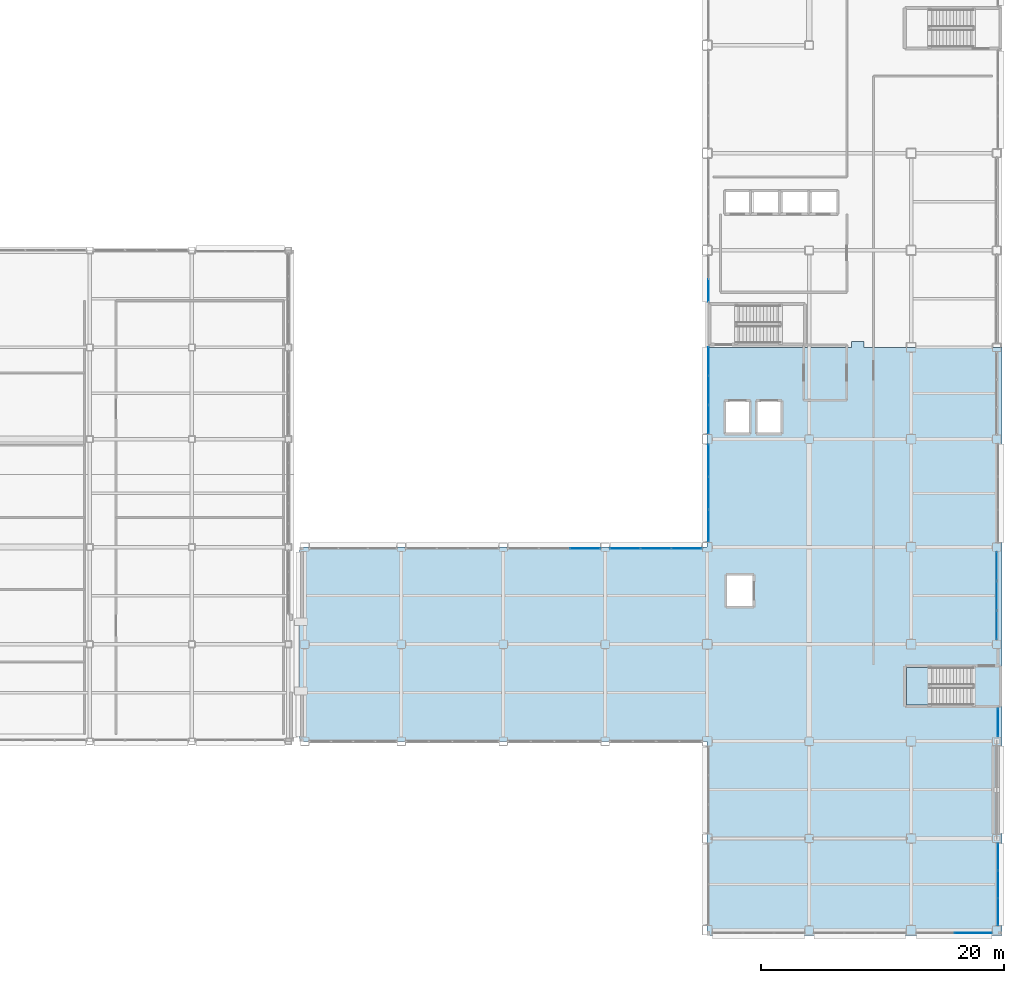
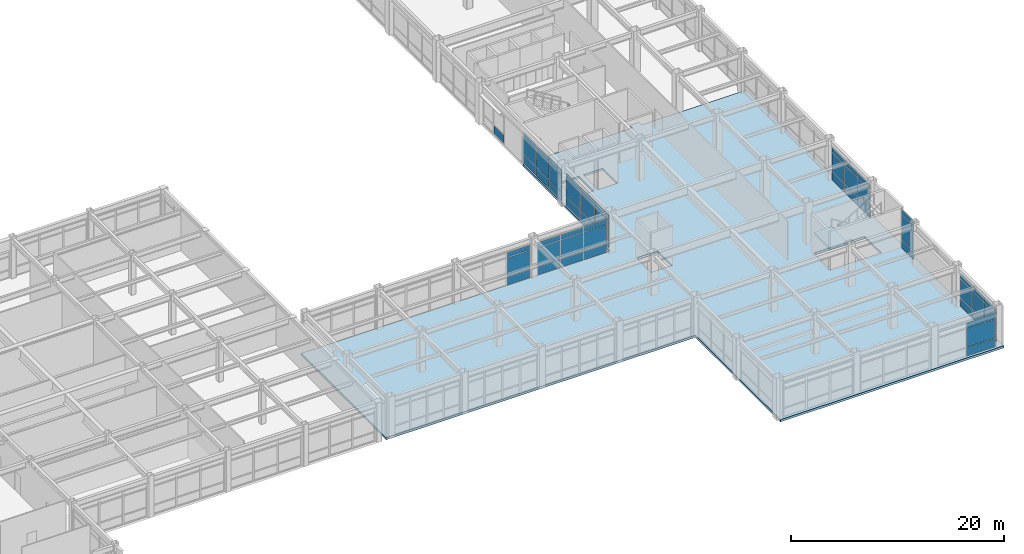
# One storey, part 125 of 154: 55 plates, 2 slabs, 10 elements without a shape of their own.
"""IFC4 building model written with IfcOpenShell, lengths in metres."""

from ifc_helpers import new_model, si_unit, direction, frame, origin, origin_2d, place, context, subcontext, project, spatial, polyline, rectangle, outline, extrude, material, layer, layer_set, type_object, element, aggregate, save


model = new_model("IFC4")

# Units and contexts
model_context = context("Model", 3, precision=1e-05, world=origin(), true_north=direction((0.0, 1.0)))
body_context = subcontext(model_context, "Body", "Model", "MODEL_VIEW")
ifc_project = project(units=[si_unit("LENGTHUNIT", "METRE"), si_unit("AREAUNIT", "SQUARE_METRE"), si_unit("VOLUMEUNIT", "CUBIC_METRE"), si_unit("PLANEANGLEUNIT", "RADIAN"), si_unit("MASSUNIT", "GRAM", prefix="KILO")], contexts=[model_context])

# Site, building, storey
site_placement = place(None, origin())
site = spatial("IfcSite", under=ifc_project, at=site_placement, CompositionType="ELEMENT")
building_placement = place(site_placement, origin())
building = spatial("IfcBuilding", under=site, at=building_placement, Name="Kazehara Bluff Congress Hotel", CompositionType="ELEMENT")
storey_placement = place(building_placement, frame((0.0, 0.0, 10.199951171875)))
storey = spatial("IfcBuildingStorey", under=building, at=storey_placement, Name="L02", CompositionType="ELEMENT", Elevation=10.199951171875)

# Curtain wall, plates
ifc_material_1 = material(Name="Anodised aluminium", Category="aluminium")
ifc_layer_1 = layer(ifc_material_1, 0.159912109375)
ifc_layer_set_1 = layer_set([ifc_layer_1], Name="Anodised aluminium")
curtain_wall_type_1 = type_object("IfcCurtainWallType", Name="TP-CW-80", PredefinedType="NOTDEFINED", material=ifc_layer_set_1)
curtain_wall_1_placement = place(storey_placement, origin())
curtain_wall_1 = element("IfcCurtainWall", 1, at=curtain_wall_1_placement, inside=storey, type_object=curtain_wall_type_1, Name="L02 curtain wall CW-80 CW-V5-L02-X16755-2435", PredefinedType="NOTDEFINED")
ifc_material_2 = material(Name="Insulated low-E double glazing", Category="glass")
ifc_layer_2 = layer(ifc_material_2, 0.028076171875)
ifc_layer_set_2 = layer_set([ifc_layer_2], Name="Insulated low-E double glazing")
plate_type_1 = type_object("IfcPlateType", Name="TP-CWP-01", PredefinedType="CURTAIN_PANEL", material=ifc_layer_set_2)
plate_1_placement = place(storey_placement, frame((167.550048828125, 25.5830078125, 0.06494140625), z_axis=(0.0, 0.0, 1.0), x_axis=(0.0, 1.0, 0.0)))
plate_1 = element("IfcPlate", 2, at=plate_1_placement, type_object=plate_type_1, Name="CW-80 panel 1.1", PredefinedType="CURTAIN_PANEL", context=body_context, shape_type="SweptSolid", body=[
    extrude(rectangle(XDim=2.3359375, YDim=0.028076171875, at=origin_2d()), origin(), (0.0, 0.0, 1.0), 0.952392578125),
])
plate_2_placement = place(storey_placement, frame((167.550048828125, 25.5830078125, 1.08251953125), z_axis=(0.0, 0.0, 1.0), x_axis=(0.0, 1.0, 0.0)))
plate_2 = element("IfcPlate", 3, at=plate_2_placement, type_object=plate_type_1, Name="CW-80 panel 1.2", PredefinedType="CURTAIN_PANEL", context=body_context, shape_type="SweptSolid", body=[
    extrude(rectangle(XDim=2.3359375, YDim=0.028076171875, at=origin_2d()), origin(), (0.0, 0.0, 1.0), 2.1201171875),
])
plate_3_placement = place(storey_placement, frame((167.550048828125, 25.5830078125, 3.267578125), z_axis=(0.0, 0.0, 1.0), x_axis=(0.0, 1.0, 0.0)))
plate_3 = element("IfcPlate", 4, at=plate_3_placement, type_object=plate_type_1, Name="CW-80 panel 1.3", PredefinedType="CURTAIN_PANEL", context=body_context, shape_type="SweptSolid", body=[
    extrude(rectangle(XDim=2.3359375, YDim=0.028076171875, at=origin_2d()), origin(), (0.0, 0.0, 1.0), 0.552490234375),
])
plate_4_placement = place(storey_placement, frame((167.550048828125, 28.0, 0.06494140625), z_axis=(0.0, 0.0, 1.0), x_axis=(0.0, 1.0, 0.0)))
plate_4 = element("IfcPlate", 5, at=plate_4_placement, type_object=plate_type_1, Name="CW-80 panel 2.1", PredefinedType="CURTAIN_PANEL", context=body_context, shape_type="SweptSolid", body=[
    extrude(rectangle(XDim=2.368408203125, YDim=0.028076171875, at=origin_2d()), origin(), (0.0, 0.0, 1.0), 0.952392578125),
])
plate_5_placement = place(storey_placement, frame((167.550048828125, 28.0, 1.08251953125), z_axis=(0.0, 0.0, 1.0), x_axis=(0.0, 1.0, 0.0)))
plate_5 = element("IfcPlate", 6, at=plate_5_placement, type_object=plate_type_1, Name="CW-80 panel 2.2", PredefinedType="CURTAIN_PANEL", context=body_context, shape_type="SweptSolid", body=[
    extrude(rectangle(XDim=2.368408203125, YDim=0.028076171875, at=origin_2d()), origin(), (0.0, 0.0, 1.0), 2.1201171875),
])
plate_6_placement = place(storey_placement, frame((167.550048828125, 28.0, 3.267578125), z_axis=(0.0, 0.0, 1.0), x_axis=(0.0, 1.0, 0.0)))
plate_6 = element("IfcPlate", 7, at=plate_6_placement, type_object=plate_type_1, Name="CW-80 panel 2.3", PredefinedType="CURTAIN_PANEL", context=body_context, shape_type="SweptSolid", body=[
    extrude(rectangle(XDim=2.368408203125, YDim=0.028076171875, at=origin_2d()), origin(), (0.0, 0.0, 1.0), 0.552490234375),
])
plate_7_placement = place(storey_placement, frame((167.550048828125, 30.4169921875, 0.06494140625), z_axis=(0.0, 0.0, 1.0), x_axis=(0.0, 1.0, 0.0)))
plate_7 = element("IfcPlate", 8, at=plate_7_placement, type_object=plate_type_1, Name="CW-80 panel 3.1", PredefinedType="CURTAIN_PANEL", context=body_context, shape_type="SweptSolid", body=[
    extrude(rectangle(XDim=2.3359375, YDim=0.028076171875, at=origin_2d()), origin(), (0.0, 0.0, 1.0), 0.952392578125),
])
plate_8_placement = place(storey_placement, frame((167.550048828125, 30.4169921875, 1.08251953125), z_axis=(0.0, 0.0, 1.0), x_axis=(0.0, 1.0, 0.0)))
plate_8 = element("IfcPlate", 9, at=plate_8_placement, type_object=plate_type_1, Name="CW-80 panel 3.2", PredefinedType="CURTAIN_PANEL", context=body_context, shape_type="SweptSolid", body=[
    extrude(rectangle(XDim=2.3359375, YDim=0.028076171875, at=origin_2d()), origin(), (0.0, 0.0, 1.0), 2.1201171875),
])
plate_9_placement = place(storey_placement, frame((167.550048828125, 30.4169921875, 3.267578125), z_axis=(0.0, 0.0, 1.0), x_axis=(0.0, 1.0, 0.0)))
plate_9 = element("IfcPlate", 10, at=plate_9_placement, type_object=plate_type_1, Name="CW-80 panel 3.3", PredefinedType="CURTAIN_PANEL", context=body_context, shape_type="SweptSolid", body=[
    extrude(rectangle(XDim=2.3359375, YDim=0.028076171875, at=origin_2d()), origin(), (0.0, 0.0, 1.0), 0.552490234375),
])
aggregate(curtain_wall_1, [plate_1, plate_2, plate_3, plate_4, plate_5, plate_6, plate_7, plate_8, plate_9])

ifc_material_3 = material(Name="Anodised aluminium", Category="aluminium")
ifc_layer_3 = layer(ifc_material_3, 0.159912109375)
ifc_layer_set_3 = layer_set([ifc_layer_3], Name="Anodised aluminium")
curtain_wall_type_2 = type_object("IfcCurtainWallType", Name="TP-CW-112", PredefinedType="NOTDEFINED", material=ifc_layer_set_3)
curtain_wall_2_placement = place(storey_placement, origin())
curtain_wall_2 = element("IfcCurtainWall", 11, at=curtain_wall_2_placement, inside=storey, type_object=curtain_wall_type_2, Name="L02 curtain wall CW-112 CW-ENC-V5-L02-16405-22", PredefinedType="NOTDEFINED")
plate_10_placement = place(storey_placement, frame((165.610107421875, 0.219970703125, 0.06005859375), z_axis=(0.0, 0.0, 1.0), x_axis=(-1.0, 0.0, 0.0)))
plate_10 = element("IfcPlate", 12, at=plate_10_placement, type_object=plate_type_1, Name="CW-112 panel 1.1", PredefinedType="CURTAIN_PANEL", context=body_context, shape_type="SweptSolid", body=[
    extrude(rectangle(XDim=3.06005859375, YDim=0.028076171875, at=origin_2d()), origin(), (0.0, 0.0, 1.0), 0.9599609375),
])
plate_11_placement = place(storey_placement, frame((165.610107421875, 0.219970703125, 1.080078125), z_axis=(0.0, 0.0, 1.0), x_axis=(-1.0, 0.0, 0.0)))
plate_11 = element("IfcPlate", 13, at=plate_11_placement, type_object=plate_type_1, Name="CW-112 panel 1.2", PredefinedType="CURTAIN_PANEL", context=body_context, shape_type="SweptSolid", body=[
    extrude(rectangle(XDim=3.06005859375, YDim=0.028076171875, at=origin_2d()), origin(), (0.0, 0.0, 1.0), 2.125),
])
plate_12_placement = place(storey_placement, frame((165.610107421875, 0.219970703125, 3.26513671875), z_axis=(0.0, 0.0, 1.0), x_axis=(-1.0, 0.0, 0.0)))
plate_12 = element("IfcPlate", 14, at=plate_12_placement, type_object=plate_type_1, Name="CW-112 panel 1.3", PredefinedType="CURTAIN_PANEL", context=body_context, shape_type="SweptSolid", body=[
    extrude(rectangle(XDim=3.06005859375, YDim=0.028076171875, at=origin_2d()), origin(), (0.0, 0.0, 1.0), 0.56005859375),
])
aggregate(curtain_wall_2, [plate_10, plate_11, plate_12])

ifc_material_4 = material(Name="Anodised aluminium", Category="aluminium")
ifc_layer_4 = layer(ifc_material_4, 0.159912109375)
ifc_layer_set_4 = layer_set([ifc_layer_4], Name="Anodised aluminium")
curtain_wall_type_3 = type_object("IfcCurtainWallType", Name="TP-CW-83", PredefinedType="NOTDEFINED", material=ifc_layer_set_4)
curtain_wall_3_placement = place(storey_placement, origin())
curtain_wall_3 = element("IfcCurtainWall", 15, at=curtain_wall_3_placement, inside=storey, type_object=curtain_wall_type_3, Name="L02 curtain wall CW-83 CW-ENC-V5-L02-16765-423", PredefinedType="NOTDEFINED")
plate_13_placement = place(storey_placement, frame((167.64990234375, 6.4921875, 0.06494140625), z_axis=(0.0, 0.0, 1.0), x_axis=(0.0, -1.0, 0.0)))
plate_13 = element("IfcPlate", 16, at=plate_13_placement, type_object=plate_type_1, Name="CW-83 panel 1.1", PredefinedType="CURTAIN_PANEL", context=body_context, shape_type="SweptSolid", body=[
    extrude(rectangle(XDim=2.185791015625, YDim=0.028076171875, at=origin_2d()), origin(), (0.0, 0.0, 1.0), 0.952392578125),
])
plate_14_placement = place(storey_placement, frame((167.64990234375, 6.4921875, 1.08251953125), z_axis=(0.0, 0.0, 1.0), x_axis=(0.0, -1.0, 0.0)))
plate_14 = element("IfcPlate", 17, at=plate_14_placement, type_object=plate_type_1, Name="CW-83 panel 1.2", PredefinedType="CURTAIN_PANEL", context=body_context, shape_type="SweptSolid", body=[
    extrude(rectangle(XDim=2.185791015625, YDim=0.028076171875, at=origin_2d()), origin(), (0.0, 0.0, 1.0), 2.1201171875),
])
plate_15_placement = place(storey_placement, frame((167.64990234375, 6.4921875, 3.267578125), z_axis=(0.0, 0.0, 1.0), x_axis=(0.0, -1.0, 0.0)))
plate_15 = element("IfcPlate", 18, at=plate_15_placement, type_object=plate_type_1, Name="CW-83 panel 1.3", PredefinedType="CURTAIN_PANEL", context=body_context, shape_type="SweptSolid", body=[
    extrude(rectangle(XDim=2.185791015625, YDim=0.028076171875, at=origin_2d()), origin(), (0.0, 0.0, 1.0), 0.552490234375),
])
plate_16_placement = place(storey_placement, frame((167.64990234375, 4.22509765625, 0.06494140625), z_axis=(0.0, 0.0, 1.0), x_axis=(0.0, -1.0, 0.0)))
plate_16 = element("IfcPlate", 19, at=plate_16_placement, type_object=plate_type_1, Name="CW-83 panel 2.1", PredefinedType="CURTAIN_PANEL", context=body_context, shape_type="SweptSolid", body=[
    extrude(rectangle(XDim=2.21826171875, YDim=0.028076171875, at=origin_2d()), origin(), (0.0, 0.0, 1.0), 0.952392578125),
])
plate_17_placement = place(storey_placement, frame((167.64990234375, 4.22509765625, 1.08251953125), z_axis=(0.0, 0.0, 1.0), x_axis=(0.0, -1.0, 0.0)))
plate_17 = element("IfcPlate", 20, at=plate_17_placement, type_object=plate_type_1, Name="CW-83 panel 2.2", PredefinedType="CURTAIN_PANEL", context=body_context, shape_type="SweptSolid", body=[
    extrude(rectangle(XDim=2.21826171875, YDim=0.028076171875, at=origin_2d()), origin(), (0.0, 0.0, 1.0), 2.1201171875),
])
plate_18_placement = place(storey_placement, frame((167.64990234375, 4.22509765625, 3.267578125), z_axis=(0.0, 0.0, 1.0), x_axis=(0.0, -1.0, 0.0)))
plate_18 = element("IfcPlate", 21, at=plate_18_placement, type_object=plate_type_1, Name="CW-83 panel 2.3", PredefinedType="CURTAIN_PANEL", context=body_context, shape_type="SweptSolid", body=[
    extrude(rectangle(XDim=2.21826171875, YDim=0.028076171875, at=origin_2d()), origin(), (0.0, 0.0, 1.0), 0.552490234375),
])
plate_19_placement = place(storey_placement, frame((167.64990234375, 1.9580078125, 0.06494140625), z_axis=(0.0, 0.0, 1.0), x_axis=(0.0, -1.0, 0.0)))
plate_19 = element("IfcPlate", 22, at=plate_19_placement, type_object=plate_type_1, Name="CW-83 panel 3.1", PredefinedType="CURTAIN_PANEL", context=body_context, shape_type="SweptSolid", body=[
    extrude(rectangle(XDim=2.185791015625, YDim=0.028076171875, at=origin_2d()), origin(), (0.0, 0.0, 1.0), 0.952392578125),
])
plate_20_placement = place(storey_placement, frame((167.64990234375, 1.9580078125, 1.08251953125), z_axis=(0.0, 0.0, 1.0), x_axis=(0.0, -1.0, 0.0)))
plate_20 = element("IfcPlate", 23, at=plate_20_placement, type_object=plate_type_1, Name="CW-83 panel 3.2", PredefinedType="CURTAIN_PANEL", context=body_context, shape_type="SweptSolid", body=[
    extrude(rectangle(XDim=2.185791015625, YDim=0.028076171875, at=origin_2d()), origin(), (0.0, 0.0, 1.0), 2.1201171875),
])
plate_21_placement = place(storey_placement, frame((167.64990234375, 1.9580078125, 3.267578125), z_axis=(0.0, 0.0, 1.0), x_axis=(0.0, -1.0, 0.0)))
plate_21 = element("IfcPlate", 24, at=plate_21_placement, type_object=plate_type_1, Name="CW-83 panel 3.3", PredefinedType="CURTAIN_PANEL", context=body_context, shape_type="SweptSolid", body=[
    extrude(rectangle(XDim=2.185791015625, YDim=0.028076171875, at=origin_2d()), origin(), (0.0, 0.0, 1.0), 0.552490234375),
])
aggregate(curtain_wall_3, [plate_13, plate_14, plate_15, plate_16, plate_17, plate_18, plate_19, plate_20, plate_21])

ifc_material_5 = material(Name="Anodised aluminium", Category="aluminium")
ifc_layer_5 = layer(ifc_material_5, 0.159912109375)
ifc_layer_set_5 = layer_set([ifc_layer_5], Name="Anodised aluminium")
curtain_wall_type_4 = type_object("IfcCurtainWallType", Name="TP-CW-121", PredefinedType="NOTDEFINED", material=ifc_layer_set_5)
curtain_wall_4_placement = place(storey_placement, origin())
curtain_wall_4 = element("IfcCurtainWall", 25, at=curtain_wall_4_placement, inside=storey, type_object=curtain_wall_type_4, Name="L02 curtain wall CW-121 CW-ENC-V5-L02-14380-3645", PredefinedType="NOTDEFINED")
plate_22_placement = place(storey_placement, frame((143.800048828125, 33.766357421875, 0.06494140625), z_axis=(0.0, 0.0, 1.0), x_axis=(0.0, 1.0, 0.0)))
plate_22 = element("IfcPlate", 26, at=plate_22_placement, type_object=plate_type_1, Name="CW-121 panel 1.1", PredefinedType="CURTAIN_PANEL", context=body_context, shape_type="SweptSolid", body=[
    extrude(rectangle(XDim=2.6025390625, YDim=0.028076171875, at=origin_2d()), origin(), (0.0, 0.0, 1.0), 0.952392578125),
])
plate_23_placement = place(storey_placement, frame((143.800048828125, 33.766357421875, 1.08251953125), z_axis=(0.0, 0.0, 1.0), x_axis=(0.0, 1.0, 0.0)))
plate_23 = element("IfcPlate", 27, at=plate_23_placement, type_object=plate_type_1, Name="CW-121 panel 1.2", PredefinedType="CURTAIN_PANEL", context=body_context, shape_type="SweptSolid", body=[
    extrude(rectangle(XDim=2.6025390625, YDim=0.028076171875, at=origin_2d()), origin(), (0.0, 0.0, 1.0), 2.070068359375),
])
plate_24_placement = place(storey_placement, frame((143.800048828125, 33.766357421875, 3.2177734375), z_axis=(0.0, 0.0, 1.0), x_axis=(0.0, 1.0, 0.0)))
plate_24 = element("IfcPlate", 28, at=plate_24_placement, type_object=plate_type_1, Name="CW-121 panel 1.3", PredefinedType="CURTAIN_PANEL", context=body_context, shape_type="SweptSolid", body=[
    extrude(rectangle(XDim=2.6025390625, YDim=0.028076171875, at=origin_2d()), origin(), (0.0, 0.0, 1.0), 0.552490234375),
])
plate_25_placement = place(storey_placement, frame((143.800048828125, 36.449951171875, 0.06494140625), z_axis=(0.0, 0.0, 1.0), x_axis=(0.0, 1.0, 0.0)))
plate_25 = element("IfcPlate", 29, at=plate_25_placement, type_object=plate_type_1, Name="CW-121 panel 2.1", PredefinedType="CURTAIN_PANEL", context=body_context, shape_type="SweptSolid", body=[
    extrude(rectangle(XDim=2.635009765625, YDim=0.028076171875, at=origin_2d()), origin(), (0.0, 0.0, 1.0), 0.952392578125),
])
plate_26_placement = place(storey_placement, frame((143.800048828125, 36.449951171875, 1.08251953125), z_axis=(0.0, 0.0, 1.0), x_axis=(0.0, 1.0, 0.0)))
plate_26 = element("IfcPlate", 30, at=plate_26_placement, type_object=plate_type_1, Name="CW-121 panel 2.2", PredefinedType="CURTAIN_PANEL", context=body_context, shape_type="SweptSolid", body=[
    extrude(rectangle(XDim=2.635009765625, YDim=0.028076171875, at=origin_2d()), origin(), (0.0, 0.0, 1.0), 2.070068359375),
])
plate_27_placement = place(storey_placement, frame((143.800048828125, 36.449951171875, 3.2177734375), z_axis=(0.0, 0.0, 1.0), x_axis=(0.0, 1.0, 0.0)))
plate_27 = element("IfcPlate", 31, at=plate_27_placement, type_object=plate_type_1, Name="CW-121 panel 2.3", PredefinedType="CURTAIN_PANEL", context=body_context, shape_type="SweptSolid", body=[
    extrude(rectangle(XDim=2.635009765625, YDim=0.028076171875, at=origin_2d()), origin(), (0.0, 0.0, 1.0), 0.552490234375),
])
plate_28_placement = place(storey_placement, frame((143.800048828125, 39.1337890625, 0.06494140625), z_axis=(0.0, 0.0, 1.0), x_axis=(0.0, 1.0, 0.0)))
plate_28 = element("IfcPlate", 32, at=plate_28_placement, type_object=plate_type_1, Name="CW-121 panel 3.1", PredefinedType="CURTAIN_PANEL", context=body_context, shape_type="SweptSolid", body=[
    extrude(rectangle(XDim=2.6025390625, YDim=0.028076171875, at=origin_2d()), origin(), (0.0, 0.0, 1.0), 0.952392578125),
])
plate_29_placement = place(storey_placement, frame((143.800048828125, 39.1337890625, 1.08251953125), z_axis=(0.0, 0.0, 1.0), x_axis=(0.0, 1.0, 0.0)))
plate_29 = element("IfcPlate", 33, at=plate_29_placement, type_object=plate_type_1, Name="CW-121 panel 3.2", PredefinedType="CURTAIN_PANEL", context=body_context, shape_type="SweptSolid", body=[
    extrude(rectangle(XDim=2.6025390625, YDim=0.028076171875, at=origin_2d()), origin(), (0.0, 0.0, 1.0), 2.070068359375),
])
plate_30_placement = place(storey_placement, frame((143.800048828125, 39.1337890625, 3.2177734375), z_axis=(0.0, 0.0, 1.0), x_axis=(0.0, 1.0, 0.0)))
plate_30 = element("IfcPlate", 34, at=plate_30_placement, type_object=plate_type_1, Name="CW-121 panel 3.3", PredefinedType="CURTAIN_PANEL", context=body_context, shape_type="SweptSolid", body=[
    extrude(rectangle(XDim=2.6025390625, YDim=0.028076171875, at=origin_2d()), origin(), (0.0, 0.0, 1.0), 0.552490234375),
])
aggregate(curtain_wall_4, [plate_22, plate_23, plate_24, plate_25, plate_26, plate_27, plate_28, plate_29, plate_30])

ifc_material_6 = material(Name="Anodised aluminium", Category="aluminium")
ifc_layer_6 = layer(ifc_material_6, 0.159912109375)
ifc_layer_set_6 = layer_set([ifc_layer_6], Name="Anodised aluminium")
curtain_wall_type_5 = type_object("IfcCurtainWallType", Name="TP-CW-141", PredefinedType="NOTDEFINED", material=ifc_layer_set_6)
curtain_wall_5_placement = place(storey_placement, origin())
curtain_wall_5 = element("IfcCurtainWall", 35, at=curtain_wall_5_placement, inside=storey, type_object=curtain_wall_type_5, Name="L02 curtain wall CW-141 CW-ENC-V5-L02-14380-4492", PredefinedType="NOTDEFINED")
plate_31_placement = place(storey_placement, frame((143.800048828125, 42.52294921875, 0.06494140625), z_axis=(0.0, 0.0, 1.0), x_axis=(0.0, 1.0, 0.0)))
plate_31 = element("IfcPlate", 36, at=plate_31_placement, type_object=plate_type_1, Name="CW-141 panel 1.1", PredefinedType="CURTAIN_PANEL", context=body_context, shape_type="SweptSolid", body=[
    extrude(rectangle(XDim=2.31591796875, YDim=0.028076171875, at=origin_2d()), origin(), (0.0, 0.0, 1.0), 0.952392578125),
])
plate_32_placement = place(storey_placement, frame((143.800048828125, 42.52294921875, 1.08251953125), z_axis=(0.0, 0.0, 1.0), x_axis=(0.0, 1.0, 0.0)))
plate_32 = element("IfcPlate", 37, at=plate_32_placement, type_object=plate_type_1, Name="CW-141 panel 1.2", PredefinedType="CURTAIN_PANEL", context=body_context, shape_type="SweptSolid", body=[
    extrude(rectangle(XDim=2.31591796875, YDim=0.028076171875, at=origin_2d()), origin(), (0.0, 0.0, 1.0), 1.8701171875),
])
plate_33_placement = place(storey_placement, frame((143.800048828125, 42.52294921875, 3.017578125), z_axis=(0.0, 0.0, 1.0), x_axis=(0.0, 1.0, 0.0)))
plate_33 = element("IfcPlate", 38, at=plate_33_placement, type_object=plate_type_1, Name="CW-141 panel 1.3", PredefinedType="CURTAIN_PANEL", context=body_context, shape_type="SweptSolid", body=[
    extrude(rectangle(XDim=2.31591796875, YDim=0.028076171875, at=origin_2d()), origin(), (0.0, 0.0, 1.0), 0.552490234375),
])
plate_34_placement = place(storey_placement, frame((143.800048828125, 44.919921875, 0.06494140625), z_axis=(0.0, 0.0, 1.0), x_axis=(0.0, 1.0, 0.0)))
plate_34 = element("IfcPlate", 39, at=plate_34_placement, type_object=plate_type_1, Name="CW-141 panel 2.1", PredefinedType="CURTAIN_PANEL", context=body_context, shape_type="SweptSolid", body=[
    extrude(rectangle(XDim=2.348388671875, YDim=0.028076171875, at=origin_2d()), origin(), (0.0, 0.0, 1.0), 0.952392578125),
])
plate_35_placement = place(storey_placement, frame((143.800048828125, 44.919921875, 1.08251953125), z_axis=(0.0, 0.0, 1.0), x_axis=(0.0, 1.0, 0.0)))
plate_35 = element("IfcPlate", 40, at=plate_35_placement, type_object=plate_type_1, Name="CW-141 panel 2.2", PredefinedType="CURTAIN_PANEL", context=body_context, shape_type="SweptSolid", body=[
    extrude(rectangle(XDim=2.348388671875, YDim=0.028076171875, at=origin_2d()), origin(), (0.0, 0.0, 1.0), 1.8701171875),
])
plate_36_placement = place(storey_placement, frame((143.800048828125, 44.919921875, 3.017578125), z_axis=(0.0, 0.0, 1.0), x_axis=(0.0, 1.0, 0.0)))
plate_36 = element("IfcPlate", 41, at=plate_36_placement, type_object=plate_type_1, Name="CW-141 panel 2.3", PredefinedType="CURTAIN_PANEL", context=body_context, shape_type="SweptSolid", body=[
    extrude(rectangle(XDim=2.348388671875, YDim=0.028076171875, at=origin_2d()), origin(), (0.0, 0.0, 1.0), 0.552490234375),
])
plate_37_placement = place(storey_placement, frame((143.800048828125, 47.317138671875, 0.06494140625), z_axis=(0.0, 0.0, 1.0), x_axis=(0.0, 1.0, 0.0)))
plate_37 = element("IfcPlate", 42, at=plate_37_placement, type_object=plate_type_1, Name="CW-141 panel 3.1", PredefinedType="CURTAIN_PANEL", context=body_context, shape_type="SweptSolid", body=[
    extrude(rectangle(XDim=2.31591796875, YDim=0.028076171875, at=origin_2d()), origin(), (0.0, 0.0, 1.0), 0.952392578125),
])
plate_38_placement = place(storey_placement, frame((143.800048828125, 47.317138671875, 1.08251953125), z_axis=(0.0, 0.0, 1.0), x_axis=(0.0, 1.0, 0.0)))
plate_38 = element("IfcPlate", 43, at=plate_38_placement, type_object=plate_type_1, Name="CW-141 panel 3.2", PredefinedType="CURTAIN_PANEL", context=body_context, shape_type="SweptSolid", body=[
    extrude(rectangle(XDim=2.31591796875, YDim=0.028076171875, at=origin_2d()), origin(), (0.0, 0.0, 1.0), 1.8701171875),
])
plate_39_placement = place(storey_placement, frame((143.800048828125, 47.317138671875, 3.017578125), z_axis=(0.0, 0.0, 1.0), x_axis=(0.0, 1.0, 0.0)))
plate_39 = element("IfcPlate", 44, at=plate_39_placement, type_object=plate_type_1, Name="CW-141 panel 3.3", PredefinedType="CURTAIN_PANEL", context=body_context, shape_type="SweptSolid", body=[
    extrude(rectangle(XDim=2.31591796875, YDim=0.028076171875, at=origin_2d()), origin(), (0.0, 0.0, 1.0), 0.552490234375),
])
aggregate(curtain_wall_5, [plate_31, plate_32, plate_33, plate_34, plate_35, plate_36, plate_37, plate_38, plate_39])

ifc_material_7 = material(Name="Anodised aluminium", Category="aluminium")
ifc_layer_7 = layer(ifc_material_7, 0.159912109375)
ifc_layer_set_7 = layer_set([ifc_layer_7], Name="Anodised aluminium")
curtain_wall_type_6 = type_object("IfcCurtainWallType", Name="TP-CW-79", PredefinedType="NOTDEFINED", material=ifc_layer_set_7)
curtain_wall_6_placement = place(storey_placement, origin())
curtain_wall_6 = element("IfcCurtainWall", 45, at=curtain_wall_6_placement, inside=storey, type_object=curtain_wall_type_6, Name="L02 curtain wall CW-79 CW-ENC-V5-L02-13110-3190", PredefinedType="NOTDEFINED")
plate_40_placement = place(storey_placement, frame((133.650390625, 31.89990234375, 0.06494140625), z_axis=(0.0, 0.0, 1.0), x_axis=(1.0, 0.0, 0.0)))
plate_40 = element("IfcPlate", 46, at=plate_40_placement, type_object=plate_type_1, Name="CW-79 panel 3.1", PredefinedType="CURTAIN_PANEL", context=body_context, shape_type="SweptSolid", body=[
    extrude(rectangle(XDim=2.46923828125, YDim=0.028076171875, at=origin_2d()), origin(), (0.0, 0.0, 1.0), 0.952392578125),
])
plate_41_placement = place(storey_placement, frame((133.650390625, 31.89990234375, 1.08251953125), z_axis=(0.0, 0.0, 1.0), x_axis=(1.0, 0.0, 0.0)))
plate_41 = element("IfcPlate", 47, at=plate_41_placement, type_object=plate_type_1, Name="CW-79 panel 3.2", PredefinedType="CURTAIN_PANEL", context=body_context, shape_type="SweptSolid", body=[
    extrude(rectangle(XDim=2.46923828125, YDim=0.028076171875, at=origin_2d()), origin(), (0.0, 0.0, 1.0), 2.1201171875),
])
plate_42_placement = place(storey_placement, frame((133.650390625, 31.89990234375, 3.267578125), z_axis=(0.0, 0.0, 1.0), x_axis=(1.0, 0.0, 0.0)))
plate_42 = element("IfcPlate", 48, at=plate_42_placement, type_object=plate_type_1, Name="CW-79 panel 3.3", PredefinedType="CURTAIN_PANEL", context=body_context, shape_type="SweptSolid", body=[
    extrude(rectangle(XDim=2.46923828125, YDim=0.028076171875, at=origin_2d()), origin(), (0.0, 0.0, 1.0), 0.552490234375),
])
aggregate(curtain_wall_6, [plate_40, plate_41, plate_42])

ifc_material_8 = material(Name="Anodised aluminium", Category="aluminium")
ifc_layer_8 = layer(ifc_material_8, 0.159912109375)
ifc_layer_set_8 = layer_set([ifc_layer_8], Name="Anodised aluminium")
curtain_wall_type_7 = type_object("IfcCurtainWallType", Name="TP-CW-22", PredefinedType="NOTDEFINED", material=ifc_layer_set_8)
curtain_wall_7_placement = place(storey_placement, origin())
curtain_wall_7 = element("IfcCurtainWall", 49, at=curtain_wall_7_placement, inside=storey, type_object=curtain_wall_type_7, Name="L02 curtain wall CW-22 CW-ENC-V5-L02-13948-3190", PredefinedType="NOTDEFINED")
plate_43_placement = place(storey_placement, frame((136.941162109375, 31.89990234375, 0.06494140625), z_axis=(0.0, 0.0, 1.0), x_axis=(1.0, 0.0, 0.0)))
plate_43 = element("IfcPlate", 50, at=plate_43_placement, type_object=plate_type_1, Name="CW-22 panel 1.1", PredefinedType="CURTAIN_PANEL", context=body_context, shape_type="SweptSolid", body=[
    extrude(rectangle(XDim=2.452392578125, YDim=0.028076171875, at=origin_2d()), origin(), (0.0, 0.0, 1.0), 0.952392578125),
])
plate_44_placement = place(storey_placement, frame((136.941162109375, 31.89990234375, 1.08251953125), z_axis=(0.0, 0.0, 1.0), x_axis=(1.0, 0.0, 0.0)))
plate_44 = element("IfcPlate", 51, at=plate_44_placement, type_object=plate_type_1, Name="CW-22 panel 1.2", PredefinedType="CURTAIN_PANEL", context=body_context, shape_type="SweptSolid", body=[
    extrude(rectangle(XDim=2.452392578125, YDim=0.028076171875, at=origin_2d()), origin(), (0.0, 0.0, 1.0), 2.1201171875),
])
plate_45_placement = place(storey_placement, frame((136.941162109375, 31.89990234375, 3.267578125), z_axis=(0.0, 0.0, 1.0), x_axis=(1.0, 0.0, 0.0)))
plate_45 = element("IfcPlate", 52, at=plate_45_placement, type_object=plate_type_1, Name="CW-22 panel 1.3", PredefinedType="CURTAIN_PANEL", context=body_context, shape_type="SweptSolid", body=[
    extrude(rectangle(XDim=2.452392578125, YDim=0.028076171875, at=origin_2d()), origin(), (0.0, 0.0, 1.0), 0.552490234375),
])
plate_46_placement = place(storey_placement, frame((139.47509765625, 31.89990234375, 0.06494140625), z_axis=(0.0, 0.0, 1.0), x_axis=(1.0, 0.0, 0.0)))
plate_46 = element("IfcPlate", 53, at=plate_46_placement, type_object=plate_type_1, Name="CW-22 panel 2.1", PredefinedType="CURTAIN_PANEL", context=body_context, shape_type="SweptSolid", body=[
    extrude(rectangle(XDim=2.485107421875, YDim=0.028076171875, at=origin_2d()), origin(), (0.0, 0.0, 1.0), 0.952392578125),
])
plate_47_placement = place(storey_placement, frame((139.47509765625, 31.89990234375, 1.08251953125), z_axis=(0.0, 0.0, 1.0), x_axis=(1.0, 0.0, 0.0)))
plate_47 = element("IfcPlate", 54, at=plate_47_placement, type_object=plate_type_1, Name="CW-22 panel 2.2", PredefinedType="CURTAIN_PANEL", context=body_context, shape_type="SweptSolid", body=[
    extrude(rectangle(XDim=2.485107421875, YDim=0.028076171875, at=origin_2d()), origin(), (0.0, 0.0, 1.0), 2.1201171875),
])
plate_48_placement = place(storey_placement, frame((139.47509765625, 31.89990234375, 3.267578125), z_axis=(0.0, 0.0, 1.0), x_axis=(1.0, 0.0, 0.0)))
plate_48 = element("IfcPlate", 55, at=plate_48_placement, type_object=plate_type_1, Name="CW-22 panel 2.3", PredefinedType="CURTAIN_PANEL", context=body_context, shape_type="SweptSolid", body=[
    extrude(rectangle(XDim=2.485107421875, YDim=0.028076171875, at=origin_2d()), origin(), (0.0, 0.0, 1.0), 0.552490234375),
])
plate_49_placement = place(storey_placement, frame((142.0087890625, 31.89990234375, 0.06494140625), z_axis=(0.0, 0.0, 1.0), x_axis=(1.0, 0.0, 0.0)))
plate_49 = element("IfcPlate", 56, at=plate_49_placement, type_object=plate_type_1, Name="CW-22 panel 3.1", PredefinedType="CURTAIN_PANEL", context=body_context, shape_type="SweptSolid", body=[
    extrude(rectangle(XDim=2.452392578125, YDim=0.028076171875, at=origin_2d()), origin(), (0.0, 0.0, 1.0), 0.952392578125),
])
plate_50_placement = place(storey_placement, frame((142.0087890625, 31.89990234375, 1.08251953125), z_axis=(0.0, 0.0, 1.0), x_axis=(1.0, 0.0, 0.0)))
plate_50 = element("IfcPlate", 57, at=plate_50_placement, type_object=plate_type_1, Name="CW-22 panel 3.2", PredefinedType="CURTAIN_PANEL", context=body_context, shape_type="SweptSolid", body=[
    extrude(rectangle(XDim=2.452392578125, YDim=0.028076171875, at=origin_2d()), origin(), (0.0, 0.0, 1.0), 2.1201171875),
])
plate_51_placement = place(storey_placement, frame((142.0087890625, 31.89990234375, 3.267578125), z_axis=(0.0, 0.0, 1.0), x_axis=(1.0, 0.0, 0.0)))
plate_51 = element("IfcPlate", 58, at=plate_51_placement, type_object=plate_type_1, Name="CW-22 panel 3.3", PredefinedType="CURTAIN_PANEL", context=body_context, shape_type="SweptSolid", body=[
    extrude(rectangle(XDim=2.452392578125, YDim=0.028076171875, at=origin_2d()), origin(), (0.0, 0.0, 1.0), 0.552490234375),
])
aggregate(curtain_wall_7, [plate_43, plate_44, plate_45, plate_46, plate_47, plate_48, plate_49, plate_50, plate_51])

ifc_material_9 = material(Name="Anodised aluminium", Category="aluminium")
ifc_layer_9 = layer(ifc_material_9, 0.159912109375)
ifc_layer_set_9 = layer_set([ifc_layer_9], Name="Anodised aluminium")
curtain_wall_type_8 = type_object("IfcCurtainWallType", Name="TP-CW-113", PredefinedType="NOTDEFINED", material=ifc_layer_set_9)
curtain_wall_8_placement = place(storey_placement, origin())
curtain_wall_8 = element("IfcCurtainWall", 59, at=curtain_wall_8_placement, inside=storey, type_object=curtain_wall_type_8, Name="L02 curtain wall CW-113 CW-ENC-V5-L02-16765-1755", PredefinedType="NOTDEFINED")
ifc_material_10 = material(Name="Insulated low-E double glazing", Category="glass")
ifc_layer_10 = layer(ifc_material_10, 0.031982421875)
ifc_layer_set_10 = layer_set([ifc_layer_10], Name="Insulated low-E double glazing")
plate_type_2 = type_object("IfcPlateType", Name="TP-CWP-02", PredefinedType="CURTAIN_PANEL", material=ifc_layer_set_10)
plate_52_placement = place(storey_placement, frame((167.64990234375, 17.544921875, 0.06005859375), z_axis=(0.0, 0.0, 1.0), x_axis=(0.0, -1.0, 0.0)))
plate_52 = element("IfcPlate", 60, at=plate_52_placement, type_object=plate_type_2, Name="CW-113 panel 1.1", PredefinedType="CURTAIN_PANEL", context=body_context, shape_type="SweptSolid", body=[
    extrude(rectangle(XDim=2.25, YDim=0.031982421875, at=origin_2d()), origin(), (0.0, 0.0, 1.0), 0.9599609375),
])
plate_53_placement = place(storey_placement, frame((167.64990234375, 17.544921875, 1.080078125), z_axis=(0.0, 0.0, 1.0), x_axis=(0.0, -1.0, 0.0)))
plate_53 = element("IfcPlate", 61, at=plate_53_placement, type_object=plate_type_2, Name="CW-113 panel 1.2", PredefinedType="CURTAIN_PANEL", context=body_context, shape_type="SweptSolid", body=[
    extrude(rectangle(XDim=2.25, YDim=0.031982421875, at=origin_2d()), origin(), (0.0, 0.0, 1.0), 2.784912109375),
])
plate_54_placement = place(storey_placement, frame((167.64990234375, 17.544921875, 3.925048828125), z_axis=(0.0, 0.0, 1.0), x_axis=(0.0, -1.0, 0.0)))
plate_54 = element("IfcPlate", 62, at=plate_54_placement, type_object=plate_type_2, Name="CW-113 panel 1.3", PredefinedType="CURTAIN_PANEL", context=body_context, shape_type="SweptSolid", body=[
    extrude(rectangle(XDim=2.25, YDim=0.031982421875, at=origin_2d()), origin(), (0.0, 0.0, 1.0), 0.56005859375),
])
aggregate(curtain_wall_8, [plate_52, plate_53, plate_54])

# Curtain wall, plate
ifc_material_11 = material(Name="Anodised aluminium", Category="aluminium")
ifc_layer_11 = layer(ifc_material_11, 0.159912109375)
ifc_layer_set_11 = layer_set([ifc_layer_11], Name="Anodised aluminium")
curtain_wall_type_9 = type_object("IfcCurtainWallType", Name="TP-CW-142", PredefinedType="NOTDEFINED", material=ifc_layer_set_11)
curtain_wall_9_placement = place(storey_placement, origin())
curtain_wall_9 = element("IfcCurtainWall", 63, at=curtain_wall_9_placement, inside=storey, type_object=curtain_wall_type_9, Name="L02 curtain wall CW-142 CW-ENC-V5-L02-14380-5410", PredefinedType="NOTDEFINED")
ifc_material_12 = material(Name="Insulated low-E double glazing", Category="glass")
ifc_layer_12 = layer(ifc_material_12, 0.02001953125)
ifc_layer_set_12 = layer_set([ifc_layer_12], Name="Insulated low-E double glazing")
plate_type_3 = type_object("IfcPlateType", Name="TP-CWP-03", PredefinedType="CURTAIN_PANEL", material=ifc_layer_set_12)
plate_55_placement = place(storey_placement, frame((143.800048828125, 53.1474609375, 0.06005859375), z_axis=(0.0, 0.0, 1.0), x_axis=(0.0, 1.0, 0.0)))
plate_55 = element("IfcPlate", 64, at=plate_55_placement, type_object=plate_type_3, Name="CW-142 panel 1.1", PredefinedType="CURTAIN_PANEL", context=body_context, shape_type="SweptSolid", body=[
    extrude(rectangle(XDim=1.85498046875, YDim=0.02001953125, at=origin_2d()), origin(), (0.0, 0.0, 1.0), 0.9599609375),
])
aggregate(curtain_wall_9, [plate_55])

# Slab
ifc_material_13 = material(Name="Concrete C36/45", Category="concrete")
ifc_layer_13 = layer(ifc_material_13, 0.25)
ifc_layer_set_13 = layer_set([ifc_layer_13], Name="Concrete C36/45")
slab_type_1 = type_object("IfcSlabType", Name="TP-SL-250", PredefinedType="FLOOR", material=ifc_layer_set_13)
slab_1_placement = place(storey_placement, frame((0.0, 0.0, -0.25)))
element("IfcSlab", 65, at=slab_1_placement, inside=storey, type_object=slab_type_1, Name="L02 V5 composite floor slab S", PredefinedType="FLOOR", context=body_context, shape_type="SweptSolid", body=[
    extrude(outline(polyline([(143.699951171875, 0.0), (143.699951171875, 16.0), (110.10009765625, 16.0), (110.10009765625, 32.0), (143.699951171875, 32.0), (143.699951171875, 48.449951171875), (155.60009765625, 48.449951171875), (155.60009765625, 48.949951171875), (156.60009765625, 48.949951171875), (156.60009765625, 48.449951171875), (168.0, 48.449951171875), (168.0, 0.0), (143.699951171875, 0.0)]), holes=[polyline([(165.625, 22.10009765625), (160.10009765625, 22.10009765625), (160.10009765625, 19.0), (165.625, 19.0), (165.625, 22.10009765625)]), polyline([(145.14990234375, 41.324951171875), (147.25, 41.324951171875), (147.25, 44.074951171875), (145.14990234375, 44.074951171875), (145.14990234375, 41.324951171875)]), polyline([(147.75, 41.324951171875), (149.85009765625, 41.324951171875), (149.85009765625, 44.074951171875), (147.75, 44.074951171875), (147.75, 41.324951171875)]), polyline([(145.25, 27.050048828125), (147.550048828125, 27.050048828125), (147.550048828125, 29.75), (145.25, 29.75), (145.25, 27.050048828125)])]), origin(), (0.0, 0.0, 1.0), 0.25),
])

# Stair, slab
ifc_material_14 = material(Name="Concrete C36/45", Category="concrete")
stair_type = type_object("IfcStairType", Name="TP-ST-T04", PredefinedType="HALF_TURN_STAIR", material=ifc_material_14)
stair_placement = place(storey_placement, origin())
stair = element("IfcStair", 66, at=stair_placement, inside=storey, type_object=stair_type, Name="L02 Escape stair ST-10", PredefinedType="HALF_TURN_STAIR")
ifc_material_15 = material(Name="Concrete C36/45", Category="concrete")
ifc_layer_14 = layer(ifc_material_15, 0.199951171875)
ifc_layer_set_14 = layer_set([ifc_layer_14], Name="Concrete C36/45")
slab_type_2 = type_object("IfcSlabType", Name="TP-SLD-200", PredefinedType="LANDING", material=ifc_layer_set_14)
slab_2_placement = place(storey_placement, frame((0.0, 0.0, 2.199951171875)))
slab_2 = element("IfcSlab", 67, at=slab_2_placement, type_object=slab_type_2, Name="ST-10 landing 1", PredefinedType="LANDING", context=body_context, shape_type="SweptSolid", body=[
    extrude(outline(polyline([(162.010009765625, 22.10009765625), (160.10009765625, 22.10009765625), (160.10009765625, 19.0), (162.010009765625, 19.0), (162.010009765625, 22.10009765625)])), origin(), (0.0, 0.0, 1.0), 0.2001953125),
])
aggregate(stair, [slab_2])

save(model, "model.ifc")
